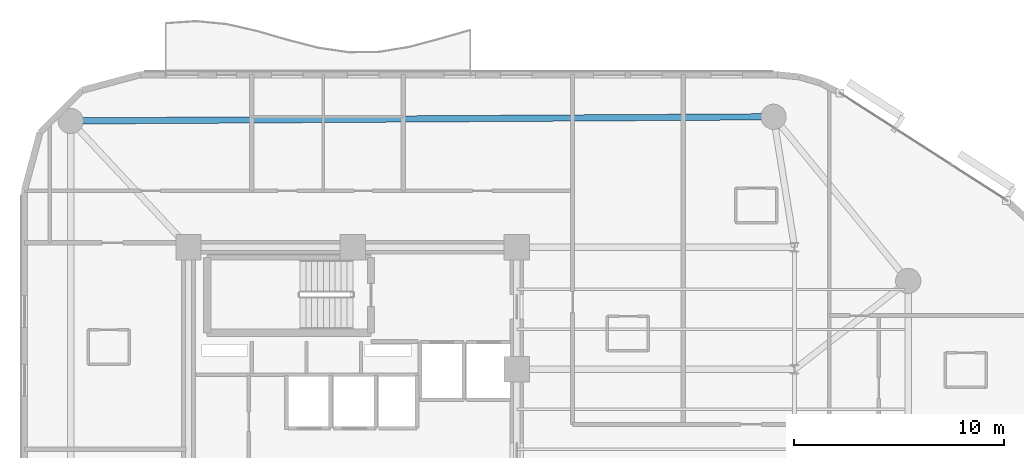
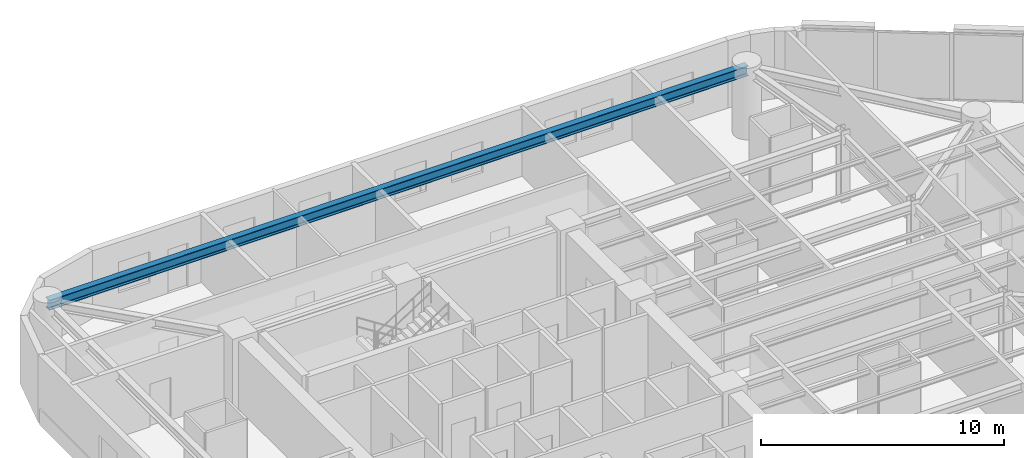
# One storey, part 7 of 15: 1 beam.
"""IFC4 building model written with IfcOpenShell, lengths in metres."""

from ifc_helpers import new_model, si_unit, direction, frame, origin, origin_2d, place, context, subcontext, project, spatial, i_section, extrude, material, material_profile, profile_set, type_object, element, save


model = new_model("IFC4")

# Units and contexts
model_context = context("Model", 3, precision=1e-05, world=origin(), true_north=direction((0.0, 1.0)))
body_context = subcontext(model_context, "Body", "Model", "MODEL_VIEW")
ifc_project = project(units=[si_unit("LENGTHUNIT", "METRE"), si_unit("AREAUNIT", "SQUARE_METRE"), si_unit("VOLUMEUNIT", "CUBIC_METRE"), si_unit("PLANEANGLEUNIT", "RADIAN"), si_unit("MASSUNIT", "GRAM", prefix="KILO")], contexts=[model_context])

# Site, building, storey
site_placement = place(None, origin())
site = spatial("IfcSite", under=ifc_project, at=site_placement, CompositionType="ELEMENT")
building_placement = place(site_placement, origin())
building = spatial("IfcBuilding", under=site, at=building_placement, Name="An Khanh Terracotta Commons", CompositionType="ELEMENT")
storey_placement = place(building_placement, frame((0.0, 0.0, 147.39990234375)))
storey = spatial("IfcBuildingStorey", under=building, at=storey_placement, Name="L38", CompositionType="ELEMENT", Elevation=147.39990234375)

# Beam
ifc_material = material(Name="Steel S355J2", Category="steel")
ifc_material_profile = material_profile(ifc_material, i_section(OverallWidth=0.300048828125, OverallDepth=0.5, WebThickness=0.014404296875, FlangeThickness=0.028076171875, FilletRadius=0.027099609375, at=origin_2d()), Name="HEB500")
ifc_profile_set = profile_set([ifc_material_profile], Name="Steel S355J2")
beam_type = type_object("IfcBeamType", Name="BM-HEB500", PredefinedType="BEAM", material=ifc_profile_set)
beam_placement = place(storey_placement, frame((49.39990234375, 39.800048828125, 3.150146484375), z_axis=(-0.999982080914, -0.005986472262, 0.0), x_axis=(0.005986472262, -0.999982080914, 0.0)))
element("IfcBeam", 1, at=beam_placement, inside=storey, type_object=beam_type, Name="L38 Perimeter Ring Spandrel 5", PredefinedType="BEAM", context=body_context, shape_type="SweptSolid", body=[
    extrude(i_section(OverallWidth=0.300048828125, OverallDepth=0.5, WebThickness=0.014404296875, FlangeThickness=0.028076171875, FilletRadius=0.027099609375, at=origin_2d()), origin(), (0.0, 0.0, 1.0), 33.400390625),
])

save(model, "model.ifc")
